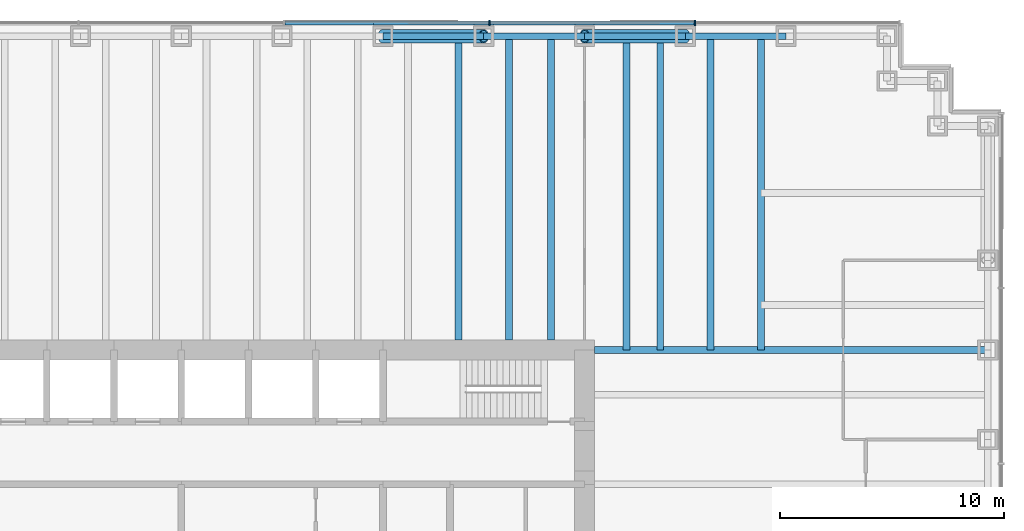
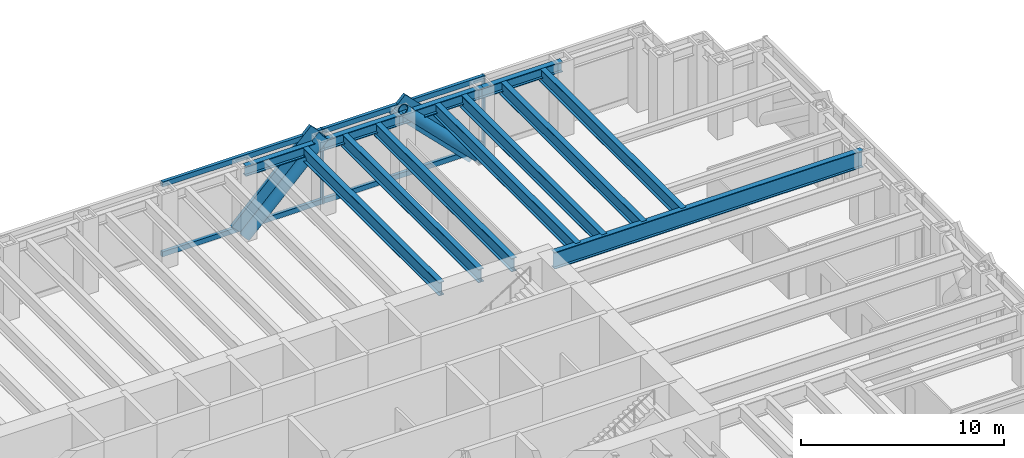
# One storey, part 6 of 13: 12 beams, 10 members, 1 element without a shape of its own.
"""IFC4 building model written with IfcOpenShell, lengths in metres."""

import ifcopenshell
import ifcopenshell.guid

model = None  # the IFC model being written
_history = None  # IfcOwnerHistory: only IFC2X3 demands one
_inside = {}  # id of a spatial element -> (the spatial element, [elements in it])
_under = {}  # id of a project, library or spatial element -> (it, [spatial elements below it])
_declared = {}  # id of a project -> (the project, [libraries it declares])
_typed = {}  # id of a type object -> (the type object, [elements of that type])
_made_of = {}  # id of a material, layer set ... -> (it, [elements and type objects made of it])


def new_model(schema):
    """Start an empty IFC model of exactly this schema.

    Asked for "IFC4X3", IfcOpenShell would pick the latest addendum, in which some entities
    have other attributes; the version numbers below select the first issue.
    IFC2X3 requires an IfcOwnerHistory on every rooted entity: one is made here for all.
    """
    global model, _history
    if schema == "IFC4X3":
        model = ifcopenshell.file(schema_version=(4, 3, 0, 0))
    else:
        model = ifcopenshell.file(schema=schema)
    _inside.clear()
    _under.clear()
    _declared.clear()
    _typed.clear()
    _made_of.clear()
    _history = None
    if model.schema == "IFC2X3":
        org = make("IfcOrganization", Name="unknown")
        user = make(
            "IfcPersonAndOrganization",
            ThePerson=make("IfcPerson", FamilyName="unknown"),
            TheOrganization=org,
        )
        app = make(
            "IfcApplication",
            ApplicationDeveloper=org,
            Version="unknown",
            ApplicationFullName="unknown",
            ApplicationIdentifier="unknown",
        )
        _history = make(
            "IfcOwnerHistory",
            OwningUser=user,
            OwningApplication=app,
            ChangeAction="ADDED",
            CreationDate=0,
        )
    return model


def make(cls, **values):
    """One entity of the class cls with the attributes given. An attribute that is None is left unset."""
    return model.create_entity(
        cls, **{name: value for name, value in values.items() if value is not None}
    )


def rooted(cls, **values):
    """An entity with a GlobalId (a new one), such as an element, a storey or a relation."""
    return make(cls, GlobalId=ifcopenshell.guid.new(), OwnerHistory=_history, **values)


def si_unit(unit_type, name, prefix=None):
    """IfcSIUnit, for example si_unit("LENGTHUNIT", "METRE", prefix="MILLI")."""
    return make("IfcSIUnit", UnitType=unit_type, Prefix=prefix, Name=name)


def assignment(units):
    """IfcUnitAssignment: the units of a project."""
    return None if units is None else make("IfcUnitAssignment", Units=units)


def point(xyz):
    """IfcCartesianPoint."""
    return None if xyz is None else make("IfcCartesianPoint", Coordinates=xyz)


def direction(xyz):
    """IfcDirection."""
    return None if xyz is None else make("IfcDirection", DirectionRatios=xyz)


def frame(location, z_axis=None, x_axis=None):
    """IfcAxis2Placement3D, a coordinate frame: its origin and axes. An axis left out is left unset."""
    return make(
        "IfcAxis2Placement3D",
        Location=point(location),
        Axis=direction(z_axis),
        RefDirection=direction(x_axis),
    )


def frame_2d(location, x_axis=None):
    """IfcAxis2Placement2D, a coordinate frame in the plane: its origin and x axis."""
    return make(
        "IfcAxis2Placement2D", Location=point(location), RefDirection=direction(x_axis)
    )


def origin():
    """The frame at (0, 0, 0) with its axes left unset."""
    return frame((0.0, 0.0, 0.0))


def origin_2d():
    """The frame at (0, 0) in the plane with its x axis left unset."""
    return frame_2d((0.0, 0.0))


def place(relative_to, where):
    """IfcLocalPlacement: puts the frame where relative to a parent placement (None: the world)."""
    return make(
        "IfcLocalPlacement", PlacementRelTo=relative_to, RelativePlacement=where
    )


def context(
    kind, dimensions, precision=None, world=None, true_north=None, identifier=None
):
    """IfcGeometricRepresentationContext, for example the 3D "Model" context."""
    return make(
        "IfcGeometricRepresentationContext",
        ContextIdentifier=identifier,
        ContextType=kind,
        CoordinateSpaceDimension=dimensions,
        Precision=precision,
        WorldCoordinateSystem=world,
        TrueNorth=true_north,
    )


def subcontext(parent, identifier, kind, view, scale=None):
    """IfcGeometricRepresentationSubContext, for example "Body" below "Model"."""
    return make(
        "IfcGeometricRepresentationSubContext",
        ContextIdentifier=identifier,
        ContextType=kind,
        ParentContext=parent,
        TargetScale=scale,
        TargetView=view,
    )


def project(units=None, contexts=None):
    """IfcProject with its units and contexts."""
    return rooted(
        "IfcProject",
        Name="project",
        RepresentationContexts=contexts,
        UnitsInContext=assignment(units),
    )


def spatial(cls, under=None, at=None, **own):
    """A site, building, storey or space (cls), placed at a placement, below another one or the project."""
    s = rooted(cls, ObjectPlacement=at, **own)
    if under is not None:
        _under.setdefault(under.id(), (under, []))[1].append(s)
    return s


def profile(cls, at=None, kind="AREA", **sizes):
    """A parametric profile (cls). Its sizes go by their IFC names, for example OverallWidth=200.0."""
    return make(cls, ProfileType=kind, Position=at, **sizes)


def rectangle(**sizes):
    """IfcRectangleProfileDef."""
    return profile("IfcRectangleProfileDef", **sizes)


def hollow_circle(**sizes):
    """IfcCircleHollowProfileDef."""
    return profile("IfcCircleHollowProfileDef", **sizes)


def i_section(**sizes):
    """IfcIShapeProfileDef."""
    return profile("IfcIShapeProfileDef", **sizes)


def extrude(swept, where, along, depth):
    """IfcExtrudedAreaSolid: the profile swept, set in the frame where, extruded along a direction by depth."""
    return make(
        "IfcExtrudedAreaSolid",
        SweptArea=swept,
        Position=where,
        ExtrudedDirection=direction(along),
        Depth=depth,
    )


def shape(context_of_items, identifier, shape_type, items):
    """IfcShapeRepresentation: the items that make up one representation, for example the "Body"."""
    return make(
        "IfcShapeRepresentation",
        ContextOfItems=context_of_items,
        RepresentationIdentifier=identifier,
        RepresentationType=shape_type,
        Items=items,
    )


def material(Name=None, Category=None):
    """IfcMaterial."""
    return make("IfcMaterial", Name=Name, Category=Category)


def material_profile(
    of_material, cross_section, Name=None, Category=None, Priority=None
):
    """IfcMaterialProfile: a cross section and its material."""
    return make(
        "IfcMaterialProfile",
        Name=Name,
        Material=of_material,
        Profile=cross_section,
        Priority=Priority,
        Category=Category,
    )


def profile_set(profiles, Name=None, composite=None):
    """IfcMaterialProfileSet."""
    return make(
        "IfcMaterialProfileSet",
        Name=Name,
        MaterialProfiles=profiles,
        CompositeProfile=composite,
    )


def made_of(thing, what):
    """Note that an element or type object is made of a material, layer set ...; save() writes the relation."""
    if what is not None:
        _made_of.setdefault(what.id(), (what, []))[1].append(thing)
    return thing


def type_object(cls, material=None, **own):
    """A type object (cls), such as IfcWallType, which elements share."""
    return made_of(rooted(cls, **own), material)


def element(
    cls,
    number,
    at=None,
    inside=None,
    cuts=None,
    type_object=None,
    material=None,
    context=None,
    identifier="Body",
    shape_type=None,
    held_by="IfcProductDefinitionShape",
    body=None,
    shapes=None,
    **own,
):
    """One element of the class cls, such as IfcWall. Its Tag is "e" and its number.

    at: its placement. inside: the storey or other place that contains it. cuts: it is an
    opening in that element (IfcRelVoidsElement). A single representation is given by context,
    identifier, shape_type and body (its items); several are given by shapes. held_by: the class
    of the entity that holds the representations. save() writes the other relations.
    """
    e = rooted(cls, Tag="e%d" % number, ObjectPlacement=at, **own)
    if body is not None:
        shapes = [shape(context, identifier, shape_type, body)]
    if shapes is not None:
        e.Representation = make(held_by, Representations=shapes)
    if inside is not None:
        _inside.setdefault(inside.id(), (inside, []))[1].append(e)
    if cuts is not None:
        rooted(
            "IfcRelVoidsElement", RelatingBuildingElement=cuts, RelatedOpeningElement=e
        )
    if type_object is not None:
        _typed.setdefault(type_object.id(), (type_object, []))[1].append(e)
    return made_of(e, material)


def aggregate(whole, parts):
    """IfcRelAggregates: a whole, such as a stair, and the parts it consists of."""
    return rooted("IfcRelAggregates", RelatingObject=whole, RelatedObjects=parts)


def save(model, path):
    """Write the relations noted so far, then the file.

    IfcRelAggregates (storeys below a building ...), IfcRelContainedInSpatialStructure (elements
    in a storey), IfcRelDefinesByType, IfcRelAssociatesMaterial and IfcRelDeclares: one each for
    every whole, place, type object, material and project.
    """
    for whole, parts in _under.values():
        aggregate(whole, parts)
    for where, things in _inside.values():
        rooted(
            "IfcRelContainedInSpatialStructure",
            RelatedElements=things,
            RelatingStructure=where,
        )
    for kind, things in _typed.values():
        rooted("IfcRelDefinesByType", RelatedObjects=things, RelatingType=kind)
    for what, things in _made_of.values():
        rooted("IfcRelAssociatesMaterial", RelatedObjects=things, RelatingMaterial=what)
    for by, libraries in _declared.values():
        rooted("IfcRelDeclares", RelatingContext=by, RelatedDefinitions=libraries)
    model.write(path)


model = new_model("IFC4")

# Units and contexts
model_context = context("Model", 3, precision=1e-05, world=origin(), true_north=direction((0.0, 1.0)))
body_context = subcontext(model_context, "Body", "Model", "MODEL_VIEW")
ifc_project = project(units=[si_unit("LENGTHUNIT", "METRE"), si_unit("AREAUNIT", "SQUARE_METRE"), si_unit("VOLUMEUNIT", "CUBIC_METRE"), si_unit("PLANEANGLEUNIT", "RADIAN"), si_unit("MASSUNIT", "GRAM", prefix="KILO")], contexts=[model_context])

# Site, building, storey
site_placement = place(None, origin())
site = spatial("IfcSite", under=ifc_project, at=site_placement, CompositionType="ELEMENT")
building_placement = place(site_placement, origin())
building = spatial("IfcBuilding", under=site, at=building_placement, Name="Rheinbord Bourse Tower", CompositionType="ELEMENT")
storey_placement = place(building_placement, frame((0.0, 0.0, 41.0)))
storey = spatial("IfcBuildingStorey", under=building, at=storey_placement, Name="L08", CompositionType="ELEMENT", Elevation=41.0)

# Curtain wall, members
ifc_material_1 = material(Name="Dark glass and black aluminium", Category="aluminium")
curtain_wall_type = type_object("IfcCurtainWallType", Name="CW1 DARK GLASS CURTAIN WALL", PredefinedType="USERDEFINED", material=ifc_material_1)
curtain_wall_placement = place(storey_placement, origin())
curtain_wall = element("IfcCurtainWall", 1, at=curtain_wall_placement, inside=storey, type_object=curtain_wall_type, Name="Curtain wall CW1 N L08", ObjectType="UNITISED CURTAIN WALL", PredefinedType="USERDEFINED")
ifc_material_2 = material(Name="Black anodised aluminium", Category="aluminium")
ifc_material_profile_1 = material_profile(ifc_material_2, rectangle(XDim=0.179931640625, YDim=1.2099609375, at=origin_2d()), Name="CW1 DIAGONAL MULLION 1210x180")
ifc_profile_set_1 = profile_set([ifc_material_profile_1], Name="Black anodised aluminium")
member_type_1 = type_object("IfcMemberType", Name="CW1 BLACK DIAGONAL MULLION", PredefinedType="USERDEFINED", material=ifc_profile_set_1)
member_1_placement = place(storey_placement, frame((45.0, 46.60009765625, 0.0), z_axis=(0.707106781187, 0.0, 0.707106781187), x_axis=(0.0, 1.0, 0.0)))
member_1 = element("IfcMember", 2, at=member_1_placement, type_object=member_type_1, Name="CW1 diagonal mullion a", ObjectType="DIAGONAL MULLION", PredefinedType="USERDEFINED", context=body_context, shape_type="SweptSolid", body=[
    extrude(rectangle(XDim=0.179931640625, YDim=1.2099609375, at=origin_2d()), origin(), (0.0, 0.0, 1.0), 6.364013671875),
])
member_2_placement = place(storey_placement, frame((58.5, 46.60009765625, 0.0), z_axis=(-0.707106781187, 0.0, 0.707106781187), x_axis=(0.0, -1.0, 0.0)))
member_2 = element("IfcMember", 3, at=member_2_placement, type_object=member_type_1, Name="CW1 diagonal mullion c", ObjectType="DIAGONAL MULLION", PredefinedType="USERDEFINED", context=body_context, shape_type="SweptSolid", body=[
    extrude(rectangle(XDim=0.179931640625, YDim=1.2099609375, at=origin_2d()), origin(), (0.0, 0.0, 1.0), 6.364013671875),
])
ifc_material_3 = material(Name="Black anodised aluminium", Category="aluminium")
ifc_material_profile_2 = material_profile(ifc_material_3, rectangle(XDim=0.25, YDim=0.080078125, at=origin_2d()), Name="CW1 MULLION 80x250")
ifc_profile_set_2 = profile_set([ifc_material_profile_2], Name="Black anodised aluminium")
member_type_2 = type_object("IfcMemberType", Name="CW1 BLACK MULLION", PredefinedType="MULLION", material=ifc_profile_set_2)
member_3_placement = place(storey_placement, frame((58.928466796875, 46.60009765625, 0.0), z_axis=(0.0, 0.0, 1.0), x_axis=(0.0, -1.0, 0.0)))
member_3 = element("IfcMember", 4, at=member_3_placement, type_object=member_type_2, Name="CW1 mullion 2", PredefinedType="MULLION", context=body_context, shape_type="SweptSolid", body=[
    extrude(rectangle(XDim=0.25, YDim=0.080078125, at=origin_2d()), origin(), (0.0, 0.0, 1.0), 4.5),
])
member_4_placement = place(storey_placement, frame((49.757080078125, 46.60009765625, 0.0), z_axis=(0.0, 0.0, 1.0), x_axis=(0.0, -1.0, 0.0)))
member_4 = element("IfcMember", 5, at=member_4_placement, type_object=member_type_2, Name="CW1 mullion 3", PredefinedType="MULLION", context=body_context, shape_type="SweptSolid", body=[
    extrude(rectangle(XDim=0.25, YDim=0.080078125, at=origin_2d()), origin(), (0.0, 0.0, 1.0), 4.5),
])
ifc_material_4 = material(Name="Black anodised aluminium", Category="aluminium")
ifc_material_profile_3 = material_profile(ifc_material_4, rectangle(XDim=0.179931640625, YDim=0.300048828125, at=origin_2d()), Name="CW1 TRANSOM 300x180")
ifc_profile_set_3 = profile_set([ifc_material_profile_3], Name="Black anodised aluminium")
member_type_3 = type_object("IfcMemberType", Name="CW1 BLACK TRANSOM", PredefinedType="USERDEFINED", material=ifc_profile_set_3)
member_5_placement = place(storey_placement, frame((58.888671875, 46.60009765625, 0.14990234375), z_axis=(-1.0, 0.0, 0.0), x_axis=(0.0, -1.0, 0.0)))
member_5 = element("IfcMember", 6, at=member_5_placement, type_object=member_type_3, Name="CW1 transom 2.1", ObjectType="TRANSOM", PredefinedType="USERDEFINED", context=body_context, shape_type="SweptSolid", body=[
    extrude(rectangle(XDim=0.179931640625, YDim=0.300048828125, at=origin_2d()), origin(), (0.0, 0.0, 1.0), 9.091552734375),
])
member_6_placement = place(storey_placement, frame((58.888671875, 46.60009765625, 4.35009765625), z_axis=(-1.0, 0.0, 0.0), x_axis=(0.0, -1.0, 0.0)))
member_6 = element("IfcMember", 7, at=member_6_placement, type_object=member_type_3, Name="CW1 transom 2.2", ObjectType="TRANSOM", PredefinedType="USERDEFINED", context=body_context, shape_type="SweptSolid", body=[
    extrude(rectangle(XDim=0.179931640625, YDim=0.300048828125, at=origin_2d()), origin(), (0.0, 0.0, 1.0), 9.091552734375),
])
member_7_placement = place(storey_placement, frame((49.717041015625, 46.60009765625, 0.14990234375), z_axis=(-1.0, 0.0, 0.0), x_axis=(0.0, -1.0, 0.0)))
member_7 = element("IfcMember", 8, at=member_7_placement, type_object=member_type_3, Name="CW1 transom 3.1", ObjectType="TRANSOM", PredefinedType="USERDEFINED", context=body_context, shape_type="SweptSolid", body=[
    extrude(rectangle(XDim=0.179931640625, YDim=0.300048828125, at=origin_2d()), origin(), (0.0, 0.0, 1.0), 9.09130859375),
])
member_8_placement = place(storey_placement, frame((49.717041015625, 46.60009765625, 4.35009765625), z_axis=(-1.0, 0.0, 0.0), x_axis=(0.0, -1.0, 0.0)))
member_8 = element("IfcMember", 9, at=member_8_placement, type_object=member_type_3, Name="CW1 transom 3.2", ObjectType="TRANSOM", PredefinedType="USERDEFINED", context=body_context, shape_type="SweptSolid", body=[
    extrude(rectangle(XDim=0.179931640625, YDim=0.300048828125, at=origin_2d()), origin(), (0.0, 0.0, 1.0), 9.09130859375),
])
aggregate(curtain_wall, [member_3, member_4, member_5, member_6, member_7, member_8, member_1, member_2])

# Beams
ifc_material_5 = material(Name="Steel S460", Category="steel")
ifc_material_profile_4 = material_profile(ifc_material_5, i_section(OverallWidth=0.300048828125, OverallDepth=0.800048828125, WebThickness=0.017578125, FlangeThickness=0.032958984375, at=origin_2d()), Name="HEB 800")
ifc_profile_set_4 = profile_set([ifc_material_profile_4], Name="Steel S460")
beam_type_1 = type_object("IfcBeamType", Name="FLOOR BEAM HEB 800", PredefinedType="BEAM", material=ifc_profile_set_4)
for number, where, z_axis, x_axis, name in (
    (10, (48.375, 46.0, 3.919921875), (0.0, -1.0, 0.0), (1.0, 0.0, 0.0), "Floor beam N-45b L09"),
    (11, (50.625, 46.0, 3.919921875), (0.0, -1.0, 0.0), (1.0, 0.0, 0.0), "Floor beam N-49.5a L09"),
    (12, (52.5, 46.0, 3.919921875), (0.0, -1.0, 0.0), (1.0, 0.0, 0.0), "Floor beam N-49.5b L09"),
):
    element("IfcBeam", number, at=place(storey_placement, frame(where, z_axis=z_axis, x_axis=x_axis)), inside=storey, type_object=beam_type_1, Name=name, PredefinedType="BEAM", context=body_context, shape_type="SweptSolid", body=[
        extrude(i_section(OverallWidth=0.300048828125, OverallDepth=0.800048828125, WebThickness=0.017578125, FlangeThickness=0.032958984375, at=origin_2d()), origin(), (0.0, 0.0, 1.0), 13.550048828125),
    ])
for number, where, z_axis, x_axis, name in (
    (13, (55.875, 46.0, 3.919921875), (0.0, -1.0, 0.0), (1.0, 0.0, 0.0), "Floor beam N-54a L09"),
    (14, (57.375, 46.0, 3.919921875), (0.0, -1.0, 0.0), (1.0, 0.0, 0.0), "Floor beam N-54b L09"),
    (15, (59.625, 46.0, 3.919921875), (0.0, -1.0, 0.0), (1.0, 0.0, 0.0), "Floor beam N-58.5a L09"),
    (16, (61.875, 46.0, 3.919921875), (0.0, -1.0, 0.0), (1.0, 0.0, 0.0), "Floor beam N-58.5b L09"),
):
    element("IfcBeam", number, at=place(storey_placement, frame(where, z_axis=z_axis, x_axis=x_axis)), inside=storey, type_object=beam_type_1, Name=name, PredefinedType="BEAM", context=body_context, shape_type="SweptSolid", body=[
        extrude(i_section(OverallWidth=0.300048828125, OverallDepth=0.800048828125, WebThickness=0.017578125, FlangeThickness=0.032958984375, at=origin_2d()), origin(), (0.0, 0.0, 1.0), 14.0),
    ])
ifc_material_6 = material(Name="Steel S460", Category="steel")
ifc_material_profile_5 = material_profile(ifc_material_6, i_section(OverallWidth=0.302001953125, OverallDepth=1.008056640625, WebThickness=0.02099609375, FlangeThickness=0.0400390625, at=origin_2d()), Name="HEM 1000")
ifc_profile_set_5 = profile_set([ifc_material_profile_5], Name="Steel S460")
beam_type_2 = type_object("IfcBeamType", Name="GIRDER HEM 1000", PredefinedType="BEAM", material=ifc_profile_set_5)
beam_placement = place(storey_placement, frame((54.449951171875, 32.0, 3.81591796875), z_axis=(1.0, 0.0, 0.0), x_axis=(0.0, 1.0, 0.0)))
element("IfcBeam", 17, at=beam_placement, inside=storey, type_object=beam_type_2, Name="Girder east 32 L09", PredefinedType="BEAM", context=body_context, shape_type="SweptSolid", body=[
    extrude(i_section(OverallWidth=0.302001953125, OverallDepth=1.008056640625, WebThickness=0.02099609375, FlangeThickness=0.0400390625, at=origin_2d()), origin(), (0.0, 0.0, 1.0), 17.550048828125),
])

# Members
ifc_material_7 = material(Name="Steel S460", Category="steel")
ifc_material_profile_6 = material_profile(ifc_material_7, hollow_circle(Radius=0.304931640625, WallThickness=0.050048828125, at=origin_2d()), Name="CHS 610x50")
ifc_profile_set_6 = profile_set([ifc_material_profile_6], Name="Steel S460")
member_type_4 = type_object("IfcMemberType", Name="MEGABRACE CHS 610x50", PredefinedType="BRACE", material=ifc_profile_set_6)
for number, where, z_axis, x_axis, name in (
    (18, (45.0, 46.0, 0.0), (0.707106781187, 0.0, 0.707106781187), (0.0, 1.0, 0.0), "Megabrace N face line a L08"),
    (19, (58.5, 46.0, 0.0), (-0.707106781187, 0.0, 0.707106781187), (0.0, -1.0, 0.0), "Megabrace N face line c L08"),
):
    element("IfcMember", number, at=place(storey_placement, frame(where, z_axis=z_axis, x_axis=x_axis)), inside=storey, type_object=member_type_4, Name=name, PredefinedType="BRACE", context=body_context, shape_type="SweptSolid", body=[
        extrude(hollow_circle(Radius=0.304931640625, WallThickness=0.050048828125, at=origin_2d()), origin(), (0.0, 0.0, 1.0), 6.364013671875),
    ])

# Beams
ifc_material_8 = material(Name="Steel S460", Category="steel")
ifc_material_profile_7 = material_profile(ifc_material_8, i_section(OverallWidth=0.304931640625, OverallDepth=0.6201171875, WebThickness=0.02099609375, FlangeThickness=0.0400390625, at=origin_2d()), Name="HEM 600")
ifc_profile_set_7 = profile_set([ifc_material_profile_7], Name="Steel S460")
beam_type_3 = type_object("IfcBeamType", Name="SPANDREL HEM 600", PredefinedType="SPANDREL", material=ifc_profile_set_7)
for number, where, z_axis, x_axis, name in (
    (20, (63.0, 46.0, 4.010009765625), (-1.0, 0.0, 0.0), (0.0, -1.0, 0.0), "Spandrel N-63-N-58.5 under L09"),
    (21, (58.5, 46.0, 4.010009765625), (-1.0, 0.0, 0.0), (0.0, -1.0, 0.0), "Spandrel N-58.5-N-54 under L09"),
    (22, (54.0, 46.0, 4.010009765625), (-1.0, 0.0, 0.0), (0.0, -1.0, 0.0), "Spandrel N-54-N-49.5 under L09"),
    (23, (49.5, 46.0, 4.010009765625), (-1.0, 0.0, 0.0), (0.0, -1.0, 0.0), "Spandrel N-49.5-N-45 under L09"),
):
    element("IfcBeam", number, at=place(storey_placement, frame(where, z_axis=z_axis, x_axis=x_axis)), inside=storey, type_object=beam_type_3, Name=name, PredefinedType="SPANDREL", context=body_context, shape_type="SweptSolid", body=[
        extrude(i_section(OverallWidth=0.304931640625, OverallDepth=0.6201171875, WebThickness=0.02099609375, FlangeThickness=0.0400390625, at=origin_2d()), origin(), (0.0, 0.0, 1.0), 4.5),
    ])

save(model, "model.ifc")
